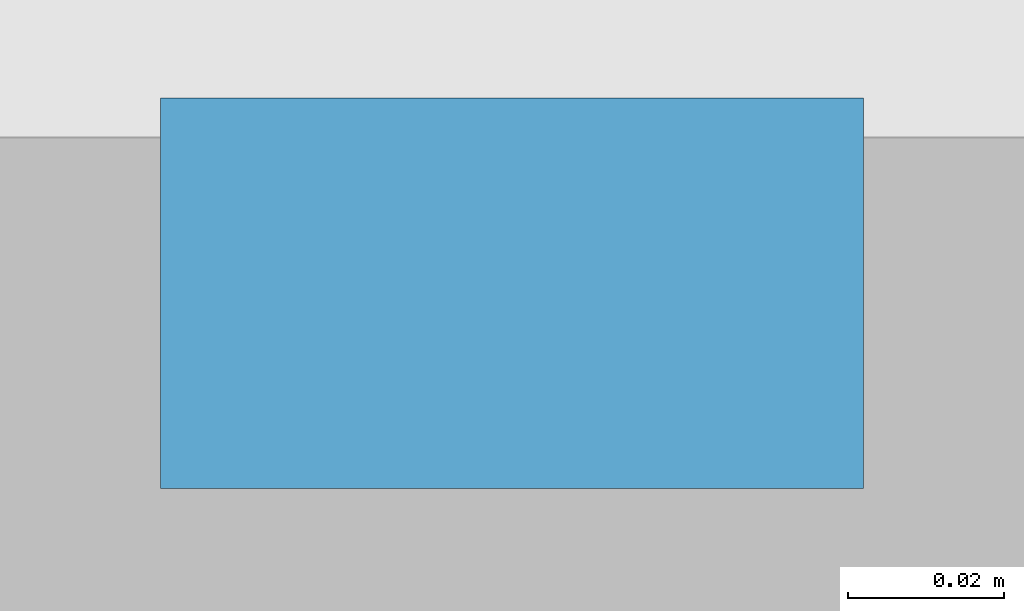
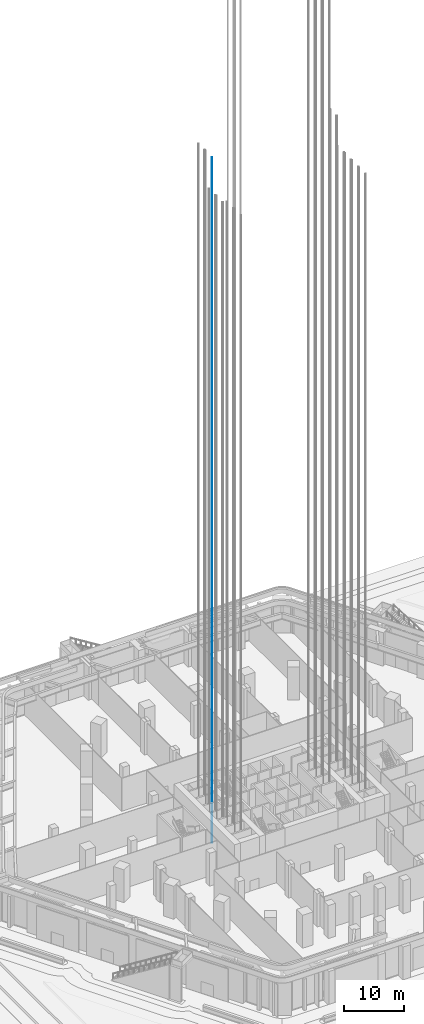
# One storey, part 35 of 68: 1 discrete accessory.
"""IFC4 building model written with IfcOpenShell, lengths in metres."""

from ifc_helpers import new_model, si_unit, direction, frame, origin, origin_2d, place, context, subcontext, project, spatial, rectangle, extrude, element, save


model = new_model("IFC4")

# Units and contexts
model_context = context("Model", 3, precision=1e-05, world=origin(), true_north=direction((0.0, 1.0)))
body_context = subcontext(model_context, "Body", "Model", "MODEL_VIEW")
ifc_project = project(units=[si_unit("LENGTHUNIT", "METRE"), si_unit("AREAUNIT", "SQUARE_METRE"), si_unit("VOLUMEUNIT", "CUBIC_METRE"), si_unit("PLANEANGLEUNIT", "RADIAN"), si_unit("MASSUNIT", "GRAM", prefix="KILO")], contexts=[model_context])

# Site, building, storey
site_placement = place(None, origin())
site = spatial("IfcSite", under=ifc_project, at=site_placement, CompositionType="ELEMENT")
building_placement = place(site_placement, origin())
building = spatial("IfcBuilding", under=site, at=building_placement, Name="Kolab Exchange Tower", CompositionType="ELEMENT")
storey_placement = place(building_placement, origin())
storey = spatial("IfcBuildingStorey", under=building, at=storey_placement, Name="L00", CompositionType="ELEMENT", Elevation=0.0)

# Discrete accessory
discrete_accessory_placement = place(storey_placement, frame((-12.0, 2.530029296875, -1.599853515625), z_axis=(0.0, 0.0, 1.0), x_axis=(1.0, 0.0, 0.0)))
element("IfcDiscreteAccessory", 1, at=discrete_accessory_placement, inside=storey, Name="Guide rail SH3-1", ObjectType="GUIDE RAIL", PredefinedType="USERDEFINED", context=body_context, shape_type="SweptSolid", body=[
    extrude(rectangle(XDim=0.090087890625, YDim=0.050048828125, at=origin_2d()), origin(), (0.0, 0.0, 1.0), 139.39990234375),
])

save(model, "model.ifc")
